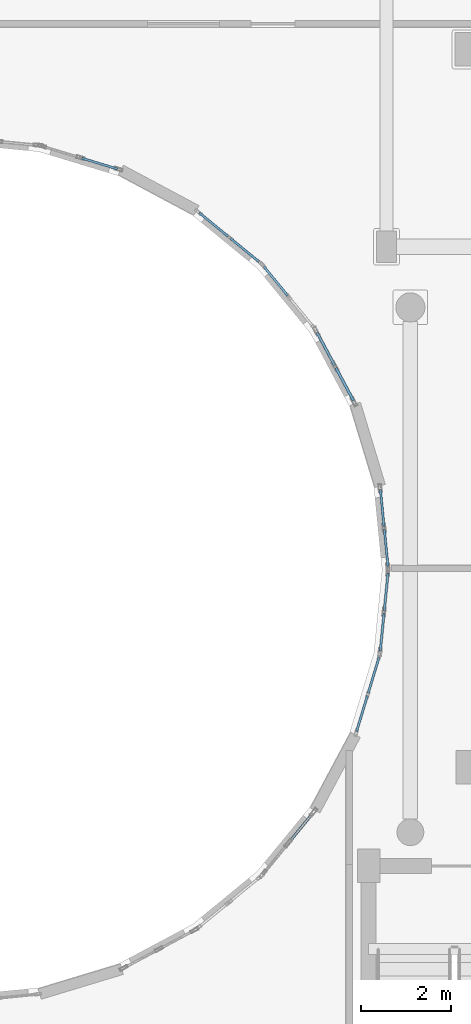
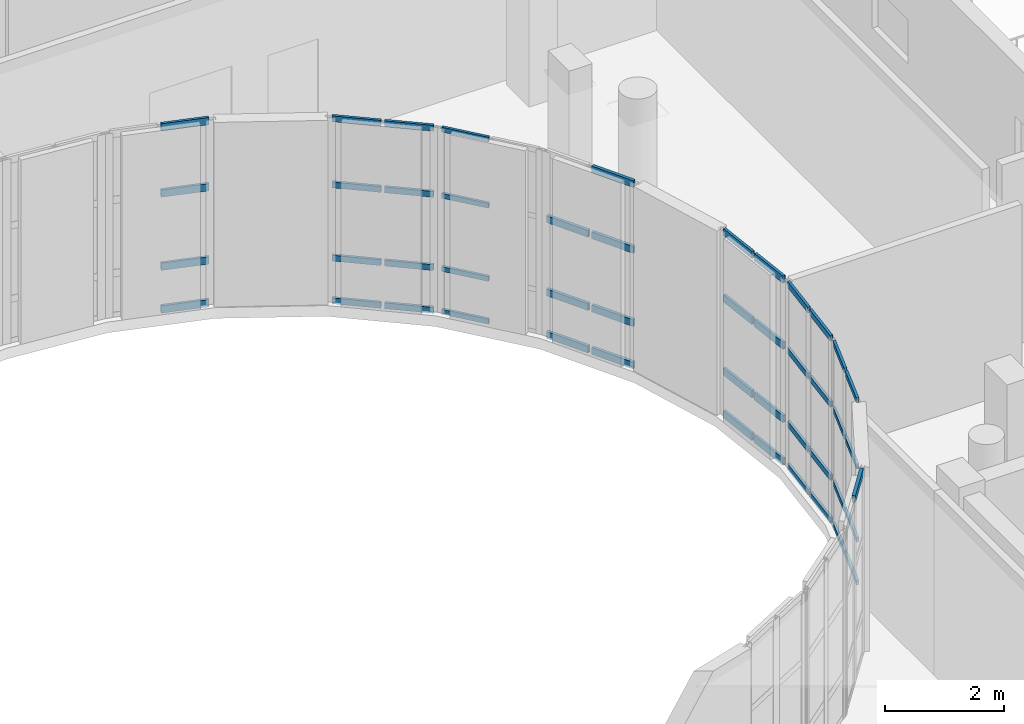
# One storey, part 52 of 92: 48 members, 8 elements without a shape of their own.
"""IFC4 building model written with IfcOpenShell, lengths in metres."""

from ifc_helpers import new_model, si_unit, direction, frame, origin, origin_2d, place, context, subcontext, project, spatial, hollow_rectangle, extrude, material, layer, layer_set, material_profile, profile_set, type_object, element, aggregate, save


model = new_model("IFC4")

# Units and contexts
model_context = context("Model", 3, precision=1e-05, world=origin(), true_north=direction((0.0, 1.0)))
body_context = subcontext(model_context, "Body", "Model", "MODEL_VIEW")
ifc_project = project(units=[si_unit("LENGTHUNIT", "METRE"), si_unit("AREAUNIT", "SQUARE_METRE"), si_unit("VOLUMEUNIT", "CUBIC_METRE"), si_unit("PLANEANGLEUNIT", "RADIAN"), si_unit("MASSUNIT", "GRAM", prefix="KILO")], contexts=[model_context])

# Site, building, storey
site_placement = place(None, origin())
site = spatial("IfcSite", under=ifc_project, at=site_placement, CompositionType="ELEMENT")
building_placement = place(site_placement, origin())
building = spatial("IfcBuilding", under=site, at=building_placement, Name="Kelanivale Promenade Academy", CompositionType="ELEMENT")
storey_placement = place(building_placement, frame((0.0, 0.0, 8.199951171875)))
storey = spatial("IfcBuildingStorey", under=building, at=storey_placement, Name="L02", CompositionType="ELEMENT", Elevation=8.199951171875)

# Curtain wall, members
ifc_material_1 = material(Name="Bronze anodised aluminium and solar-control low-E glass", Category="aluminium")
ifc_layer_1 = layer(ifc_material_1, 0.159912109375)
ifc_layer_set_1 = layer_set([ifc_layer_1], Name="Bronze anodised aluminium and solar-control low-E glass")
curtain_wall_type_1 = type_object("IfcCurtainWallType", Name="CW-09 Curtain Wall 1650mm Module", PredefinedType="USERDEFINED", material=ifc_layer_set_1)
curtain_wall_1_placement = place(storey_placement, origin())
curtain_wall_1 = element("IfcCurtainWall", 1, at=curtain_wall_1_placement, inside=storey, type_object=curtain_wall_type_1, Name="L02 courtyard curtain wall CW-09", ObjectType="UNITISED GLAZING", PredefinedType="USERDEFINED")
ifc_material_2 = material(Name="Bronze anodised aluminium EN AW-6063 T6", Category="aluminium")
ifc_material_profile_1 = material_profile(ifc_material_2, hollow_rectangle(XDim=0.050048828125, YDim=0.10009765625, WallThickness=0.0029296875, at=origin_2d()), Name="ALU 50x100x3.0")
ifc_profile_set_1 = profile_set([ifc_material_profile_1], Name="Bronze anodised aluminium EN AW-6063 T6")
member_type_1 = type_object("IfcMemberType", Name="CWT-01 ALU 50x100x3.0", PredefinedType="USERDEFINED", material=ifc_profile_set_1)
member_1_placement = place(storey_placement, frame((106.197509765625, 62.91015625, 0.025146484375), z_axis=(-0.634169827677, 0.773193785324, 0.0), x_axis=(-0.773193785324, -0.634169827677, 0.0)))
member_1 = element("IfcMember", 2, at=member_1_placement, type_object=member_type_1, Name="CW-09 transom 2.1", ObjectType="TRANSOM", PredefinedType="USERDEFINED", context=body_context, shape_type="SweptSolid", body=[
    extrude(hollow_rectangle(XDim=0.050048828125, YDim=0.10009765625, WallThickness=0.0029296875, at=origin_2d()), origin(), (0.0, 0.0, 1.0), 0.841064453125),
])
member_2_placement = place(storey_placement, frame((106.197509765625, 62.91015625, 0.900146484375), z_axis=(-0.634169827677, 0.773193785324, 0.0), x_axis=(-0.773193785324, -0.634169827677, 0.0)))
member_2 = element("IfcMember", 3, at=member_2_placement, type_object=member_type_1, Name="CW-09 transom 2.2", ObjectType="TRANSOM", PredefinedType="USERDEFINED", context=body_context, shape_type="SweptSolid", body=[
    extrude(hollow_rectangle(XDim=0.050048828125, YDim=0.10009765625, WallThickness=0.0029296875, at=origin_2d()), origin(), (0.0, 0.0, 1.0), 0.841064453125),
])
member_3_placement = place(storey_placement, frame((106.197509765625, 62.91015625, 2.400146484375), z_axis=(-0.634169827677, 0.773193785324, 0.0), x_axis=(-0.773193785324, -0.634169827677, 0.0)))
member_3 = element("IfcMember", 4, at=member_3_placement, type_object=member_type_1, Name="CW-09 transom 2.3", ObjectType="TRANSOM", PredefinedType="USERDEFINED", context=body_context, shape_type="SweptSolid", body=[
    extrude(hollow_rectangle(XDim=0.050048828125, YDim=0.10009765625, WallThickness=0.0029296875, at=origin_2d()), origin(), (0.0, 0.0, 1.0), 0.841064453125),
])
member_4_placement = place(storey_placement, frame((106.197509765625, 62.91015625, 3.755126953125), z_axis=(-0.634169827677, 0.773193785324, 0.0), x_axis=(-0.773193785324, -0.634169827677, 0.0)))
member_4 = element("IfcMember", 5, at=member_4_placement, type_object=member_type_1, Name="CW-09 transom 2.4", ObjectType="TRANSOM", PredefinedType="USERDEFINED", context=body_context, shape_type="SweptSolid", body=[
    extrude(hollow_rectangle(XDim=0.050048828125, YDim=0.10009765625, WallThickness=0.0029296875, at=origin_2d()), origin(), (0.0, 0.0, 1.0), 0.841064453125),
])
aggregate(curtain_wall_1, [member_1, member_2, member_3, member_4])

ifc_layer_2 = layer(ifc_material_1, 0.179931640625)
ifc_layer_set_2 = layer_set([ifc_layer_2], Name="Bronze anodised aluminium and solar-control low-E glass")
curtain_wall_type_2 = type_object("IfcCurtainWallType", Name="CW-05 Curtain Wall 1950mm Module", PredefinedType="USERDEFINED", material=ifc_layer_set_2)
curtain_wall_2_placement = place(storey_placement, origin())
curtain_wall_2 = element("IfcCurtainWall", 6, at=curtain_wall_2_placement, inside=storey, type_object=curtain_wall_type_2, Name="L02 courtyard curtain wall CW-05", ObjectType="UNITISED GLAZING", PredefinedType="USERDEFINED")
member_5_placement = place(storey_placement, frame((107.732421875, 53.1953125, 0.025146484375), z_axis=(0.290113019071, 0.956992390861, 0.0), x_axis=(-0.956992390861, 0.290113019071, 0.0)))
member_5 = element("IfcMember", 7, at=member_5_placement, type_object=member_type_1, Name="CW-05 transom 1.1", ObjectType="TRANSOM", PredefinedType="USERDEFINED", context=body_context, shape_type="SweptSolid", body=[
    extrude(hollow_rectangle(XDim=0.050048828125, YDim=0.10009765625, WallThickness=0.0029296875, at=origin_2d()), origin(), (0.0, 0.0, 1.0), 0.833984375),
])
member_6_placement = place(storey_placement, frame((107.732421875, 53.1953125, 0.900146484375), z_axis=(0.290113019071, 0.956992390861, 0.0), x_axis=(-0.956992390861, 0.290113019071, 0.0)))
member_6 = element("IfcMember", 8, at=member_6_placement, type_object=member_type_1, Name="CW-05 transom 1.2", ObjectType="TRANSOM", PredefinedType="USERDEFINED", context=body_context, shape_type="SweptSolid", body=[
    extrude(hollow_rectangle(XDim=0.050048828125, YDim=0.10009765625, WallThickness=0.0029296875, at=origin_2d()), origin(), (0.0, 0.0, 1.0), 0.833984375),
])
member_7_placement = place(storey_placement, frame((107.732421875, 53.1953125, 2.400146484375), z_axis=(0.290113019071, 0.956992390861, 0.0), x_axis=(-0.956992390861, 0.290113019071, 0.0)))
member_7 = element("IfcMember", 9, at=member_7_placement, type_object=member_type_1, Name="CW-05 transom 1.3", ObjectType="TRANSOM", PredefinedType="USERDEFINED", context=body_context, shape_type="SweptSolid", body=[
    extrude(hollow_rectangle(XDim=0.050048828125, YDim=0.10009765625, WallThickness=0.0029296875, at=origin_2d()), origin(), (0.0, 0.0, 1.0), 0.833984375),
])
member_8_placement = place(storey_placement, frame((107.732421875, 53.1953125, 3.755126953125), z_axis=(0.290113019071, 0.956992390861, 0.0), x_axis=(-0.956992390861, 0.290113019071, 0.0)))
member_8 = element("IfcMember", 10, at=member_8_placement, type_object=member_type_1, Name="CW-05 transom 1.4", ObjectType="TRANSOM", PredefinedType="USERDEFINED", context=body_context, shape_type="SweptSolid", body=[
    extrude(hollow_rectangle(XDim=0.050048828125, YDim=0.10009765625, WallThickness=0.0029296875, at=origin_2d()), origin(), (0.0, 0.0, 1.0), 0.833984375),
])
member_9_placement = place(storey_placement, frame((107.99169921875, 54.05078125, 0.025146484375), z_axis=(0.2901943181, 0.956967741223, 0.0), x_axis=(-0.956967741223, 0.2901943181, 0.0)))
member_9 = element("IfcMember", 11, at=member_9_placement, type_object=member_type_1, Name="CW-05 transom 2.1", ObjectType="TRANSOM", PredefinedType="USERDEFINED", context=body_context, shape_type="SweptSolid", body=[
    extrude(hollow_rectangle(XDim=0.050048828125, YDim=0.10009765625, WallThickness=0.0029296875, at=origin_2d()), origin(), (0.0, 0.0, 1.0), 0.833740234375),
])
member_10_placement = place(storey_placement, frame((107.99169921875, 54.05078125, 0.900146484375), z_axis=(0.2901943181, 0.956967741223, 0.0), x_axis=(-0.956967741223, 0.2901943181, 0.0)))
member_10 = element("IfcMember", 12, at=member_10_placement, type_object=member_type_1, Name="CW-05 transom 2.2", ObjectType="TRANSOM", PredefinedType="USERDEFINED", context=body_context, shape_type="SweptSolid", body=[
    extrude(hollow_rectangle(XDim=0.050048828125, YDim=0.10009765625, WallThickness=0.0029296875, at=origin_2d()), origin(), (0.0, 0.0, 1.0), 0.833740234375),
])
member_11_placement = place(storey_placement, frame((107.99169921875, 54.05078125, 2.400146484375), z_axis=(0.2901943181, 0.956967741223, 0.0), x_axis=(-0.956967741223, 0.2901943181, 0.0)))
member_11 = element("IfcMember", 13, at=member_11_placement, type_object=member_type_1, Name="CW-05 transom 2.3", ObjectType="TRANSOM", PredefinedType="USERDEFINED", context=body_context, shape_type="SweptSolid", body=[
    extrude(hollow_rectangle(XDim=0.050048828125, YDim=0.10009765625, WallThickness=0.0029296875, at=origin_2d()), origin(), (0.0, 0.0, 1.0), 0.833740234375),
])
member_12_placement = place(storey_placement, frame((107.99169921875, 54.05078125, 3.755126953125), z_axis=(0.2901943181, 0.956967741223, 0.0), x_axis=(-0.956967741223, 0.2901943181, 0.0)))
member_12 = element("IfcMember", 14, at=member_12_placement, type_object=member_type_1, Name="CW-05 transom 2.4", ObjectType="TRANSOM", PredefinedType="USERDEFINED", context=body_context, shape_type="SweptSolid", body=[
    extrude(hollow_rectangle(XDim=0.050048828125, YDim=0.10009765625, WallThickness=0.0029296875, at=origin_2d()), origin(), (0.0, 0.0, 1.0), 0.833740234375),
])
aggregate(curtain_wall_2, [member_5, member_6, member_7, member_8, member_9, member_10, member_11, member_12])

ifc_layer_3 = layer(ifc_material_1, 0.169921875)
ifc_layer_set_3 = layer_set([ifc_layer_3], Name="Bronze anodised aluminium and solar-control low-E glass")
curtain_wall_type_3 = type_object("IfcCurtainWallType", Name="CW-10 Curtain Wall 1800mm Module", PredefinedType="USERDEFINED", material=ifc_layer_set_3)
curtain_wall_3_placement = place(storey_placement, origin())
curtain_wall_3 = element("IfcCurtainWall", 15, at=curtain_wall_3_placement, inside=storey, type_object=curtain_wall_type_3, Name="L02 courtyard curtain wall CW-10", ObjectType="UNITISED GLAZING", PredefinedType="USERDEFINED")
ifc_material_profile_2 = material_profile(ifc_material_2, hollow_rectangle(XDim=0.050048828125, YDim=0.1201171875, WallThickness=0.0029296875, at=origin_2d()), Name="ALU 50x120x3.0")
ifc_profile_set_2 = profile_set([ifc_material_profile_2], Name="Bronze anodised aluminium EN AW-6063 T6")
member_type_2 = type_object("IfcMemberType", Name="CWT-02 ALU 50x120x3.0", PredefinedType="USERDEFINED", material=ifc_profile_set_2)
member_13_placement = place(storey_placement, frame((105.560546875, 63.6640625, 0.025146484375), z_axis=(-0.773264917111, 0.634083092319, 0.0), x_axis=(-0.634083092319, -0.773264917111, 0.0)))
member_13 = element("IfcMember", 16, at=member_13_placement, type_object=member_type_2, Name="CW-10 transom 1.1", ObjectType="TRANSOM", PredefinedType="USERDEFINED", context=body_context, shape_type="SweptSolid", body=[
    extrude(hollow_rectangle(XDim=0.050048828125, YDim=0.1201171875, WallThickness=0.0029296875, at=origin_2d()), origin(), (0.0, 0.0, 1.0), 0.833251953125),
])
member_14_placement = place(storey_placement, frame((105.560546875, 63.6640625, 0.900146484375), z_axis=(-0.773264917111, 0.634083092319, 0.0), x_axis=(-0.634083092319, -0.773264917111, 0.0)))
member_14 = element("IfcMember", 17, at=member_14_placement, type_object=member_type_2, Name="CW-10 transom 1.2", ObjectType="TRANSOM", PredefinedType="USERDEFINED", context=body_context, shape_type="SweptSolid", body=[
    extrude(hollow_rectangle(XDim=0.050048828125, YDim=0.1201171875, WallThickness=0.0029296875, at=origin_2d()), origin(), (0.0, 0.0, 1.0), 0.833251953125),
])
member_15_placement = place(storey_placement, frame((105.560546875, 63.6640625, 2.400146484375), z_axis=(-0.773264917111, 0.634083092319, 0.0), x_axis=(-0.634083092319, -0.773264917111, 0.0)))
member_15 = element("IfcMember", 18, at=member_15_placement, type_object=member_type_2, Name="CW-10 transom 1.3", ObjectType="TRANSOM", PredefinedType="USERDEFINED", context=body_context, shape_type="SweptSolid", body=[
    extrude(hollow_rectangle(XDim=0.050048828125, YDim=0.1201171875, WallThickness=0.0029296875, at=origin_2d()), origin(), (0.0, 0.0, 1.0), 0.833251953125),
])
member_16_placement = place(storey_placement, frame((105.560546875, 63.6640625, 3.755126953125), z_axis=(-0.773264917111, 0.634083092319, 0.0), x_axis=(-0.634083092319, -0.773264917111, 0.0)))
member_16 = element("IfcMember", 19, at=member_16_placement, type_object=member_type_2, Name="CW-10 transom 1.4", ObjectType="TRANSOM", PredefinedType="USERDEFINED", context=body_context, shape_type="SweptSolid", body=[
    extrude(hollow_rectangle(XDim=0.050048828125, YDim=0.1201171875, WallThickness=0.0029296875, at=origin_2d()), origin(), (0.0, 0.0, 1.0), 0.833251953125),
])
member_17_placement = place(storey_placement, frame((104.869873046875, 64.23046875, 0.025146484375), z_axis=(-0.773239067778, 0.634114614295, 0.0), x_axis=(-0.634114614295, -0.773239067778, 0.0)))
member_17 = element("IfcMember", 20, at=member_17_placement, type_object=member_type_2, Name="CW-10 transom 2.1", ObjectType="TRANSOM", PredefinedType="USERDEFINED", context=body_context, shape_type="SweptSolid", body=[
    extrude(hollow_rectangle(XDim=0.050048828125, YDim=0.1201171875, WallThickness=0.0029296875, at=origin_2d()), origin(), (0.0, 0.0, 1.0), 0.83349609375),
])
member_18_placement = place(storey_placement, frame((104.869873046875, 64.23046875, 0.900146484375), z_axis=(-0.773239067778, 0.634114614295, 0.0), x_axis=(-0.634114614295, -0.773239067778, 0.0)))
member_18 = element("IfcMember", 21, at=member_18_placement, type_object=member_type_2, Name="CW-10 transom 2.2", ObjectType="TRANSOM", PredefinedType="USERDEFINED", context=body_context, shape_type="SweptSolid", body=[
    extrude(hollow_rectangle(XDim=0.050048828125, YDim=0.1201171875, WallThickness=0.0029296875, at=origin_2d()), origin(), (0.0, 0.0, 1.0), 0.83349609375),
])
member_19_placement = place(storey_placement, frame((104.869873046875, 64.23046875, 2.400146484375), z_axis=(-0.773239067778, 0.634114614295, 0.0), x_axis=(-0.634114614295, -0.773239067778, 0.0)))
member_19 = element("IfcMember", 22, at=member_19_placement, type_object=member_type_2, Name="CW-10 transom 2.3", ObjectType="TRANSOM", PredefinedType="USERDEFINED", context=body_context, shape_type="SweptSolid", body=[
    extrude(hollow_rectangle(XDim=0.050048828125, YDim=0.1201171875, WallThickness=0.0029296875, at=origin_2d()), origin(), (0.0, 0.0, 1.0), 0.83349609375),
])
member_20_placement = place(storey_placement, frame((104.869873046875, 64.23046875, 3.755126953125), z_axis=(-0.773239067778, 0.634114614295, 0.0), x_axis=(-0.634114614295, -0.773239067778, 0.0)))
member_20 = element("IfcMember", 23, at=member_20_placement, type_object=member_type_2, Name="CW-10 transom 2.4", ObjectType="TRANSOM", PredefinedType="USERDEFINED", context=body_context, shape_type="SweptSolid", body=[
    extrude(hollow_rectangle(XDim=0.050048828125, YDim=0.1201171875, WallThickness=0.0029296875, at=origin_2d()), origin(), (0.0, 0.0, 1.0), 0.83349609375),
])
aggregate(curtain_wall_3, [member_13, member_14, member_15, member_16, member_17, member_18, member_19, member_20])

ifc_layer_4 = layer(ifc_material_1, 0.159912109375)
ifc_layer_set_4 = layer_set([ifc_layer_4], Name="Bronze anodised aluminium and solar-control low-E glass")
curtain_wall_type_4 = type_object("IfcCurtainWallType", Name="CW-06 Curtain Wall 1200mm Module", PredefinedType="USERDEFINED", material=ifc_layer_set_4)
curtain_wall_4_placement = place(storey_placement, origin())
curtain_wall_4 = element("IfcCurtainWall", 24, at=curtain_wall_4_placement, inside=storey, type_object=curtain_wall_type_4, Name="L02 courtyard curtain wall CW-06", ObjectType="UNITISED GLAZING", PredefinedType="USERDEFINED")
member_21_placement = place(storey_placement, frame((108.261962890625, 54.99267578125, 0.025146484375), z_axis=(0.098123944036, 0.995174201639, 0.0), x_axis=(-0.995174201639, 0.098123944036, 0.0)))
member_21 = element("IfcMember", 25, at=member_21_placement, type_object=member_type_2, Name="CW-06 transom 1.1", ObjectType="TRANSOM", PredefinedType="USERDEFINED", context=body_context, shape_type="SweptSolid", body=[
    extrude(hollow_rectangle(XDim=0.050048828125, YDim=0.1201171875, WallThickness=0.0029296875, at=origin_2d()), origin(), (0.0, 0.0, 1.0), 0.841064453125),
])
member_22_placement = place(storey_placement, frame((108.261962890625, 54.99267578125, 0.900146484375), z_axis=(0.098123944036, 0.995174201639, 0.0), x_axis=(-0.995174201639, 0.098123944036, 0.0)))
member_22 = element("IfcMember", 26, at=member_22_placement, type_object=member_type_2, Name="CW-06 transom 1.2", ObjectType="TRANSOM", PredefinedType="USERDEFINED", context=body_context, shape_type="SweptSolid", body=[
    extrude(hollow_rectangle(XDim=0.050048828125, YDim=0.1201171875, WallThickness=0.0029296875, at=origin_2d()), origin(), (0.0, 0.0, 1.0), 0.841064453125),
])
member_23_placement = place(storey_placement, frame((108.261962890625, 54.99267578125, 2.400146484375), z_axis=(0.098123944036, 0.995174201639, 0.0), x_axis=(-0.995174201639, 0.098123944036, 0.0)))
member_23 = element("IfcMember", 27, at=member_23_placement, type_object=member_type_2, Name="CW-06 transom 1.3", ObjectType="TRANSOM", PredefinedType="USERDEFINED", context=body_context, shape_type="SweptSolid", body=[
    extrude(hollow_rectangle(XDim=0.050048828125, YDim=0.1201171875, WallThickness=0.0029296875, at=origin_2d()), origin(), (0.0, 0.0, 1.0), 0.841064453125),
])
member_24_placement = place(storey_placement, frame((108.261962890625, 54.99267578125, 3.755126953125), z_axis=(0.098123944036, 0.995174201639, 0.0), x_axis=(-0.995174201639, 0.098123944036, 0.0)))
member_24 = element("IfcMember", 28, at=member_24_placement, type_object=member_type_2, Name="CW-06 transom 1.4", ObjectType="TRANSOM", PredefinedType="USERDEFINED", context=body_context, shape_type="SweptSolid", body=[
    extrude(hollow_rectangle(XDim=0.050048828125, YDim=0.1201171875, WallThickness=0.0029296875, at=origin_2d()), origin(), (0.0, 0.0, 1.0), 0.841064453125),
])
member_25_placement = place(storey_placement, frame((108.350341796875, 55.889404296875, 0.025146484375), z_axis=(0.098411444095, 0.995145812266, 0.0), x_axis=(-0.995145812266, 0.098411444095, 0.0)))
member_25 = element("IfcMember", 29, at=member_25_placement, type_object=member_type_2, Name="CW-06 transom 2.1", ObjectType="TRANSOM", PredefinedType="USERDEFINED", context=body_context, shape_type="SweptSolid", body=[
    extrude(hollow_rectangle(XDim=0.050048828125, YDim=0.1201171875, WallThickness=0.0029296875, at=origin_2d()), origin(), (0.0, 0.0, 1.0), 0.841064453125),
])
member_26_placement = place(storey_placement, frame((108.350341796875, 55.889404296875, 0.900146484375), z_axis=(0.098411444095, 0.995145812266, 0.0), x_axis=(-0.995145812266, 0.098411444095, 0.0)))
member_26 = element("IfcMember", 30, at=member_26_placement, type_object=member_type_2, Name="CW-06 transom 2.2", ObjectType="TRANSOM", PredefinedType="USERDEFINED", context=body_context, shape_type="SweptSolid", body=[
    extrude(hollow_rectangle(XDim=0.050048828125, YDim=0.1201171875, WallThickness=0.0029296875, at=origin_2d()), origin(), (0.0, 0.0, 1.0), 0.841064453125),
])
member_27_placement = place(storey_placement, frame((108.350341796875, 55.889404296875, 2.400146484375), z_axis=(0.098411444095, 0.995145812266, 0.0), x_axis=(-0.995145812266, 0.098411444095, 0.0)))
member_27 = element("IfcMember", 31, at=member_27_placement, type_object=member_type_2, Name="CW-06 transom 2.3", ObjectType="TRANSOM", PredefinedType="USERDEFINED", context=body_context, shape_type="SweptSolid", body=[
    extrude(hollow_rectangle(XDim=0.050048828125, YDim=0.1201171875, WallThickness=0.0029296875, at=origin_2d()), origin(), (0.0, 0.0, 1.0), 0.841064453125),
])
member_28_placement = place(storey_placement, frame((108.350341796875, 55.889404296875, 3.755126953125), z_axis=(0.098411444095, 0.995145812266, 0.0), x_axis=(-0.995145812266, 0.098411444095, 0.0)))
member_28 = element("IfcMember", 32, at=member_28_placement, type_object=member_type_2, Name="CW-06 transom 2.4", ObjectType="TRANSOM", PredefinedType="USERDEFINED", context=body_context, shape_type="SweptSolid", body=[
    extrude(hollow_rectangle(XDim=0.050048828125, YDim=0.1201171875, WallThickness=0.0029296875, at=origin_2d()), origin(), (0.0, 0.0, 1.0), 0.841064453125),
])
aggregate(curtain_wall_4, [member_21, member_22, member_23, member_24, member_25, member_26, member_27, member_28])

ifc_layer_5 = layer(ifc_material_1, 0.179931640625)
ifc_layer_set_5 = layer_set([ifc_layer_5], Name="Bronze anodised aluminium and solar-control low-E glass")
curtain_wall_type_5 = type_object("IfcCurtainWallType", Name="CW-11 Curtain Wall 1950mm Module", PredefinedType="USERDEFINED", material=ifc_layer_set_5)
curtain_wall_5_placement = place(storey_placement, origin())
curtain_wall_5 = element("IfcCurtainWall", 33, at=curtain_wall_5_placement, inside=storey, type_object=curtain_wall_type_5, Name="L02 courtyard curtain wall CW-11", ObjectType="UNITISED GLAZING", PredefinedType="USERDEFINED")
ifc_material_profile_3 = material_profile(ifc_material_2, hollow_rectangle(XDim=0.050048828125, YDim=0.14990234375, WallThickness=0.00341796875, at=origin_2d()), Name="ALU 50x150x3.5")
ifc_profile_set_3 = profile_set([ifc_material_profile_3], Name="Bronze anodised aluminium EN AW-6063 T6")
member_type_3 = type_object("IfcMemberType", Name="CWT-03 ALU 50x150x3.5", PredefinedType="USERDEFINED", material=ifc_profile_set_3)
member_29_placement = place(storey_placement, frame((102.39990234375, 65.73388671875, 0.025146484375), z_axis=(-0.956984636742, 0.290138596258, 0.0), x_axis=(-0.290138596258, -0.956984636742, 0.0)))
member_29 = element("IfcMember", 34, at=member_29_placement, type_object=member_type_3, Name="CW-11 transom 1.1", ObjectType="TRANSOM", PredefinedType="USERDEFINED", context=body_context, shape_type="SweptSolid", body=[
    extrude(hollow_rectangle(XDim=0.050048828125, YDim=0.14990234375, WallThickness=0.00341796875, at=origin_2d()), origin(), (0.0, 0.0, 1.0), 0.826416015625),
])
member_30_placement = place(storey_placement, frame((102.39990234375, 65.73388671875, 0.900146484375), z_axis=(-0.956984636742, 0.290138596258, 0.0), x_axis=(-0.290138596258, -0.956984636742, 0.0)))
member_30 = element("IfcMember", 35, at=member_30_placement, type_object=member_type_3, Name="CW-11 transom 1.2", ObjectType="TRANSOM", PredefinedType="USERDEFINED", context=body_context, shape_type="SweptSolid", body=[
    extrude(hollow_rectangle(XDim=0.050048828125, YDim=0.14990234375, WallThickness=0.00341796875, at=origin_2d()), origin(), (0.0, 0.0, 1.0), 0.826416015625),
])
member_31_placement = place(storey_placement, frame((102.39990234375, 65.73388671875, 2.400146484375), z_axis=(-0.956984636742, 0.290138596258, 0.0), x_axis=(-0.290138596258, -0.956984636742, 0.0)))
member_31 = element("IfcMember", 36, at=member_31_placement, type_object=member_type_3, Name="CW-11 transom 1.3", ObjectType="TRANSOM", PredefinedType="USERDEFINED", context=body_context, shape_type="SweptSolid", body=[
    extrude(hollow_rectangle(XDim=0.050048828125, YDim=0.14990234375, WallThickness=0.00341796875, at=origin_2d()), origin(), (0.0, 0.0, 1.0), 0.826416015625),
])
member_32_placement = place(storey_placement, frame((102.39990234375, 65.73388671875, 3.755126953125), z_axis=(-0.956984636742, 0.290138596258, 0.0), x_axis=(-0.290138596258, -0.956984636742, 0.0)))
member_32 = element("IfcMember", 37, at=member_32_placement, type_object=member_type_3, Name="CW-11 transom 1.4", ObjectType="TRANSOM", PredefinedType="USERDEFINED", context=body_context, shape_type="SweptSolid", body=[
    extrude(hollow_rectangle(XDim=0.050048828125, YDim=0.14990234375, WallThickness=0.00341796875, at=origin_2d()), origin(), (0.0, 0.0, 1.0), 0.826416015625),
])
aggregate(curtain_wall_5, [member_29, member_30, member_31, member_32])

ifc_layer_6 = layer(ifc_material_1, 0.169921875)
ifc_layer_set_6 = layer_set([ifc_layer_6], Name="Bronze anodised aluminium and solar-control low-E glass")
curtain_wall_type_6 = type_object("IfcCurtainWallType", Name="CW-07 Curtain Wall 1350mm Module", PredefinedType="USERDEFINED", material=ifc_layer_set_6)
curtain_wall_6_placement = place(storey_placement, origin())
curtain_wall_6 = element("IfcCurtainWall", 38, at=curtain_wall_6_placement, inside=storey, type_object=curtain_wall_type_6, Name="L02 courtyard curtain wall CW-07", ObjectType="UNITISED GLAZING", PredefinedType="USERDEFINED")
member_33_placement = place(storey_placement, frame((108.4326171875, 56.878662109375, 0.025146484375), z_axis=(-0.0984209217, 0.995144874966, 0.0), x_axis=(-0.995144874966, -0.0984209217, 0.0)))
member_33 = element("IfcMember", 39, at=member_33_placement, type_object=member_type_3, Name="CW-07 transom 1.1", ObjectType="TRANSOM", PredefinedType="USERDEFINED", context=body_context, shape_type="SweptSolid", body=[
    extrude(hollow_rectangle(XDim=0.050048828125, YDim=0.14990234375, WallThickness=0.00341796875, at=origin_2d()), origin(), (0.0, 0.0, 1.0), 0.825927734375),
])
member_34_placement = place(storey_placement, frame((108.4326171875, 56.878662109375, 0.900146484375), z_axis=(-0.0984209217, 0.995144874966, 0.0), x_axis=(-0.995144874966, -0.0984209217, 0.0)))
member_34 = element("IfcMember", 40, at=member_34_placement, type_object=member_type_3, Name="CW-07 transom 1.2", ObjectType="TRANSOM", PredefinedType="USERDEFINED", context=body_context, shape_type="SweptSolid", body=[
    extrude(hollow_rectangle(XDim=0.050048828125, YDim=0.14990234375, WallThickness=0.00341796875, at=origin_2d()), origin(), (0.0, 0.0, 1.0), 0.825927734375),
])
member_35_placement = place(storey_placement, frame((108.4326171875, 56.878662109375, 2.400146484375), z_axis=(-0.0984209217, 0.995144874966, 0.0), x_axis=(-0.995144874966, -0.0984209217, 0.0)))
member_35 = element("IfcMember", 41, at=member_35_placement, type_object=member_type_3, Name="CW-07 transom 1.3", ObjectType="TRANSOM", PredefinedType="USERDEFINED", context=body_context, shape_type="SweptSolid", body=[
    extrude(hollow_rectangle(XDim=0.050048828125, YDim=0.14990234375, WallThickness=0.00341796875, at=origin_2d()), origin(), (0.0, 0.0, 1.0), 0.825927734375),
])
member_36_placement = place(storey_placement, frame((108.4326171875, 56.878662109375, 3.755126953125), z_axis=(-0.0984209217, 0.995144874966, 0.0), x_axis=(-0.995144874966, -0.0984209217, 0.0)))
member_36 = element("IfcMember", 42, at=member_36_placement, type_object=member_type_3, Name="CW-07 transom 1.4", ObjectType="TRANSOM", PredefinedType="USERDEFINED", context=body_context, shape_type="SweptSolid", body=[
    extrude(hollow_rectangle(XDim=0.050048828125, YDim=0.14990234375, WallThickness=0.00341796875, at=origin_2d()), origin(), (0.0, 0.0, 1.0), 0.825927734375),
])
member_37_placement = place(storey_placement, frame((108.3447265625, 57.765380859375, 0.025146484375), z_axis=(-0.0984209217, 0.995144874966, 0.0), x_axis=(-0.995144874966, -0.0984209217, 0.0)))
member_37 = element("IfcMember", 43, at=member_37_placement, type_object=member_type_3, Name="CW-07 transom 2.1", ObjectType="TRANSOM", PredefinedType="USERDEFINED", context=body_context, shape_type="SweptSolid", body=[
    extrude(hollow_rectangle(XDim=0.050048828125, YDim=0.14990234375, WallThickness=0.00341796875, at=origin_2d()), origin(), (0.0, 0.0, 1.0), 0.825927734375),
])
member_38_placement = place(storey_placement, frame((108.3447265625, 57.765380859375, 0.900146484375), z_axis=(-0.0984209217, 0.995144874966, 0.0), x_axis=(-0.995144874966, -0.0984209217, 0.0)))
member_38 = element("IfcMember", 44, at=member_38_placement, type_object=member_type_3, Name="CW-07 transom 2.2", ObjectType="TRANSOM", PredefinedType="USERDEFINED", context=body_context, shape_type="SweptSolid", body=[
    extrude(hollow_rectangle(XDim=0.050048828125, YDim=0.14990234375, WallThickness=0.00341796875, at=origin_2d()), origin(), (0.0, 0.0, 1.0), 0.825927734375),
])
member_39_placement = place(storey_placement, frame((108.3447265625, 57.765380859375, 2.400146484375), z_axis=(-0.0984209217, 0.995144874966, 0.0), x_axis=(-0.995144874966, -0.0984209217, 0.0)))
member_39 = element("IfcMember", 45, at=member_39_placement, type_object=member_type_3, Name="CW-07 transom 2.3", ObjectType="TRANSOM", PredefinedType="USERDEFINED", context=body_context, shape_type="SweptSolid", body=[
    extrude(hollow_rectangle(XDim=0.050048828125, YDim=0.14990234375, WallThickness=0.00341796875, at=origin_2d()), origin(), (0.0, 0.0, 1.0), 0.825927734375),
])
member_40_placement = place(storey_placement, frame((108.3447265625, 57.765380859375, 3.755126953125), z_axis=(-0.0984209217, 0.995144874966, 0.0), x_axis=(-0.995144874966, -0.0984209217, 0.0)))
member_40 = element("IfcMember", 46, at=member_40_placement, type_object=member_type_3, Name="CW-07 transom 2.4", ObjectType="TRANSOM", PredefinedType="USERDEFINED", context=body_context, shape_type="SweptSolid", body=[
    extrude(hollow_rectangle(XDim=0.050048828125, YDim=0.14990234375, WallThickness=0.00341796875, at=origin_2d()), origin(), (0.0, 0.0, 1.0), 0.825927734375),
])
aggregate(curtain_wall_6, [member_33, member_34, member_35, member_36, member_37, member_38, member_39, member_40])

ifc_layer_7 = layer(ifc_material_1, 0.179931640625)
ifc_layer_set_7 = layer_set([ifc_layer_7], Name="Bronze anodised aluminium and solar-control low-E glass")
curtain_wall_type_7 = type_object("IfcCurtainWallType", Name="CW-08 Curtain Wall 1500mm Module", PredefinedType="USERDEFINED", material=ifc_layer_set_7)
curtain_wall_7_placement = place(storey_placement, origin())
curtain_wall_7 = element("IfcCurtainWall", 47, at=curtain_wall_7_placement, inside=storey, type_object=curtain_wall_type_7, Name="L02 courtyard curtain wall CW-08", ObjectType="UNITISED GLAZING", PredefinedType="USERDEFINED")
ifc_material_profile_4 = material_profile(ifc_material_2, hollow_rectangle(XDim=0.06005859375, YDim=0.139892578125, WallThickness=0.00341796875, at=origin_2d()), Name="ALU 60x140x3.5")
ifc_profile_set_4 = profile_set([ifc_material_profile_4], Name="Bronze anodised aluminium EN AW-6063 T6")
member_type_4 = type_object("IfcMemberType", Name="CWT-04 ALU 60x140x3.5", PredefinedType="USERDEFINED", material=ifc_profile_set_4)
member_41_placement = place(storey_placement, frame((107.662353515625, 60.5712890625, 0.030029296875), z_axis=(-0.471385192805, 0.881927434659, 0.0), x_axis=(-0.881927434659, -0.471385192805, 0.0)))
member_41 = element("IfcMember", 48, at=member_41_placement, type_object=member_type_4, Name="CW-08 transom 1.1", ObjectType="TRANSOM", PredefinedType="USERDEFINED", context=body_context, shape_type="SweptSolid", body=[
    extrude(hollow_rectangle(XDim=0.06005859375, YDim=0.139892578125, WallThickness=0.00341796875, at=origin_2d()), origin(), (0.0, 0.0, 1.0), 0.82666015625),
])
member_42_placement = place(storey_placement, frame((107.662353515625, 60.5712890625, 0.900146484375), z_axis=(-0.471385192805, 0.881927434659, 0.0), x_axis=(-0.881927434659, -0.471385192805, 0.0)))
member_42 = element("IfcMember", 49, at=member_42_placement, type_object=member_type_4, Name="CW-08 transom 1.2", ObjectType="TRANSOM", PredefinedType="USERDEFINED", context=body_context, shape_type="SweptSolid", body=[
    extrude(hollow_rectangle(XDim=0.06005859375, YDim=0.139892578125, WallThickness=0.00341796875, at=origin_2d()), origin(), (0.0, 0.0, 1.0), 0.82666015625),
])
member_43_placement = place(storey_placement, frame((107.662353515625, 60.5712890625, 2.400146484375), z_axis=(-0.471385192805, 0.881927434659, 0.0), x_axis=(-0.881927434659, -0.471385192805, 0.0)))
member_43 = element("IfcMember", 50, at=member_43_placement, type_object=member_type_4, Name="CW-08 transom 1.3", ObjectType="TRANSOM", PredefinedType="USERDEFINED", context=body_context, shape_type="SweptSolid", body=[
    extrude(hollow_rectangle(XDim=0.06005859375, YDim=0.139892578125, WallThickness=0.00341796875, at=origin_2d()), origin(), (0.0, 0.0, 1.0), 0.82666015625),
])
member_44_placement = place(storey_placement, frame((107.662353515625, 60.5712890625, 3.75), z_axis=(-0.471385192805, 0.881927434659, 0.0), x_axis=(-0.881927434659, -0.471385192805, 0.0)))
member_44 = element("IfcMember", 51, at=member_44_placement, type_object=member_type_4, Name="CW-08 transom 1.4", ObjectType="TRANSOM", PredefinedType="USERDEFINED", context=body_context, shape_type="SweptSolid", body=[
    extrude(hollow_rectangle(XDim=0.06005859375, YDim=0.139892578125, WallThickness=0.00341796875, at=origin_2d()), origin(), (0.0, 0.0, 1.0), 0.82666015625),
])
member_45_placement = place(storey_placement, frame((107.2421875, 61.357666015625, 0.030029296875), z_axis=(-0.471385192805, 0.881927434659, 0.0), x_axis=(-0.881927434659, -0.471385192805, 0.0)))
member_45 = element("IfcMember", 52, at=member_45_placement, type_object=member_type_4, Name="CW-08 transom 2.1", ObjectType="TRANSOM", PredefinedType="USERDEFINED", context=body_context, shape_type="SweptSolid", body=[
    extrude(hollow_rectangle(XDim=0.06005859375, YDim=0.139892578125, WallThickness=0.00341796875, at=origin_2d()), origin(), (0.0, 0.0, 1.0), 0.82666015625),
])
member_46_placement = place(storey_placement, frame((107.2421875, 61.357666015625, 0.900146484375), z_axis=(-0.471385192805, 0.881927434659, 0.0), x_axis=(-0.881927434659, -0.471385192805, 0.0)))
member_46 = element("IfcMember", 53, at=member_46_placement, type_object=member_type_4, Name="CW-08 transom 2.2", ObjectType="TRANSOM", PredefinedType="USERDEFINED", context=body_context, shape_type="SweptSolid", body=[
    extrude(hollow_rectangle(XDim=0.06005859375, YDim=0.139892578125, WallThickness=0.00341796875, at=origin_2d()), origin(), (0.0, 0.0, 1.0), 0.82666015625),
])
member_47_placement = place(storey_placement, frame((107.2421875, 61.357666015625, 2.400146484375), z_axis=(-0.471385192805, 0.881927434659, 0.0), x_axis=(-0.881927434659, -0.471385192805, 0.0)))
member_47 = element("IfcMember", 54, at=member_47_placement, type_object=member_type_4, Name="CW-08 transom 2.3", ObjectType="TRANSOM", PredefinedType="USERDEFINED", context=body_context, shape_type="SweptSolid", body=[
    extrude(hollow_rectangle(XDim=0.06005859375, YDim=0.139892578125, WallThickness=0.00341796875, at=origin_2d()), origin(), (0.0, 0.0, 1.0), 0.82666015625),
])
aggregate(curtain_wall_7, [member_41, member_42, member_43, member_44, member_45, member_46, member_47])

# Curtain wall, member
ifc_layer_8 = layer(ifc_material_1, 0.169921875)
ifc_layer_set_8 = layer_set([ifc_layer_8], Name="Bronze anodised aluminium and solar-control low-E glass")
curtain_wall_type_8 = type_object("IfcCurtainWallType", Name="CW-04 Curtain Wall 1800mm Module", PredefinedType="USERDEFINED", material=ifc_layer_set_8)
curtain_wall_8_placement = place(storey_placement, origin())
curtain_wall_8 = element("IfcCurtainWall", 55, at=curtain_wall_8_placement, inside=storey, type_object=curtain_wall_type_8, Name="L02 courtyard curtain wall CW-04", ObjectType="UNITISED GLAZING", PredefinedType="USERDEFINED")
member_48_placement = place(storey_placement, frame((106.232177734375, 50.732177734375, 3.75), z_axis=(0.634058377853, 0.7732851825, 0.0), x_axis=(-0.7732851825, 0.634058377853, 0.0)))
member_48 = element("IfcMember", 56, at=member_48_placement, type_object=member_type_4, Name="CW-04 transom 2.4", ObjectType="TRANSOM", PredefinedType="USERDEFINED", context=body_context, shape_type="SweptSolid", body=[
    extrude(hollow_rectangle(XDim=0.06005859375, YDim=0.139892578125, WallThickness=0.00341796875, at=origin_2d()), origin(), (0.0, 0.0, 1.0), 0.825927734375),
])
aggregate(curtain_wall_8, [member_48])

save(model, "model.ifc")
